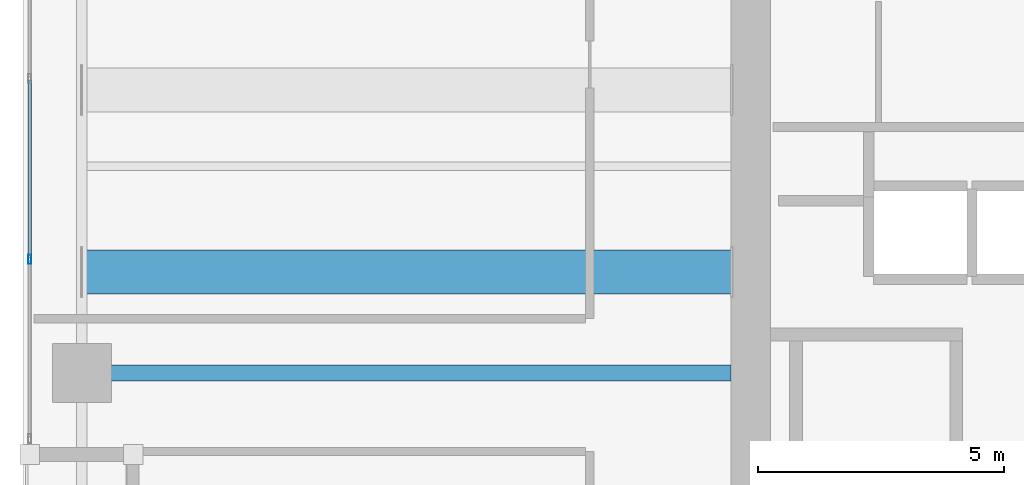
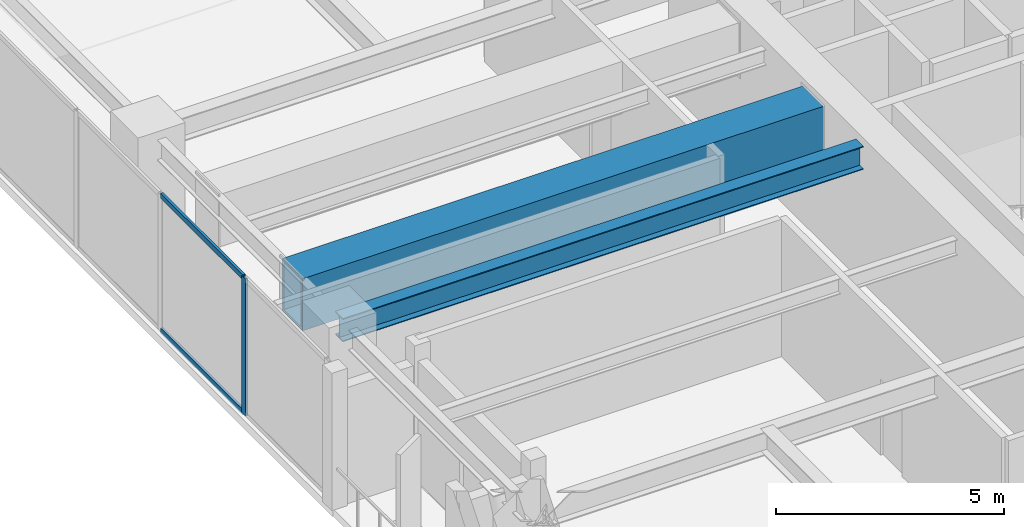
# One storey, part 4 of 30: 3 members, 2 beams, 1 element without a shape of its own.
"""IFC4 building model written with IfcOpenShell, lengths in metres."""

from ifc_helpers import new_model, si_unit, direction, frame, origin, origin_2d, place, context, subcontext, project, spatial, hollow_rectangle, i_section, extrude, material, layer, layer_set, material_profile, profile_set, type_object, element, aggregate, save


model = new_model("IFC4")

# Units and contexts
model_context = context("Model", 3, precision=1e-05, world=origin(), true_north=direction((0.0, 1.0)))
body_context = subcontext(model_context, "Body", "Model", "MODEL_VIEW")
ifc_project = project(units=[si_unit("LENGTHUNIT", "METRE"), si_unit("AREAUNIT", "SQUARE_METRE"), si_unit("VOLUMEUNIT", "CUBIC_METRE"), si_unit("PLANEANGLEUNIT", "RADIAN"), si_unit("MASSUNIT", "GRAM", prefix="KILO")], contexts=[model_context])

# Site, building, storey
site_placement = place(None, origin())
site = spatial("IfcSite", under=ifc_project, at=site_placement, CompositionType="ELEMENT")
building_placement = place(site_placement, origin())
building = spatial("IfcBuilding", under=site, at=building_placement, Name="Kiyonajd Concourse Tower", CompositionType="ELEMENT")
storey_placement = place(building_placement, frame((0.0, 0.0, 177.89990234375)))
storey = spatial("IfcBuildingStorey", under=building, at=storey_placement, Name="L45", CompositionType="ELEMENT", Elevation=177.89990234375)

# Beams
ifc_material_1 = material(Name="Steel ASTM A992 Grade 50", Category="steel")
ifc_material_profile_1 = material_profile(ifc_material_1, i_section(OverallWidth=0.326904296875, OverallDepth=0.6220703125, WebThickness=0.015380859375, FlangeThickness=0.0244140625, at=origin_2d()), Name="W610X195")
ifc_profile_set_1 = profile_set([ifc_material_profile_1], Name="Steel ASTM A992 Grade 50")
beam_type_1 = type_object("IfcBeamType", Name="BM-TWR-610A", PredefinedType="BEAM", material=ifc_profile_set_1)
beam_1_placement = place(storey_placement, frame((19.199951171875, 36.0, 3.369140625), z_axis=(1.0, 0.0, 0.0), x_axis=(0.0, 1.0, 0.0)))
element("IfcBeam", 1, at=beam_1_placement, inside=storey, type_object=beam_type_1, Name="L45 West Lease Girder", PredefinedType="BEAM", context=body_context, shape_type="SweptSolid", body=[
    extrude(i_section(OverallWidth=0.326904296875, OverallDepth=0.6220703125, WebThickness=0.015380859375, FlangeThickness=0.0244140625, at=origin_2d()), origin(), (0.0, 0.0, 1.0), 13.199951171875),
])
ifc_material_2 = material(Name="Steel ASTM A572 Grade 50", Category="steel")
ifc_material_profile_2 = material_profile(ifc_material_2, hollow_rectangle(XDim=0.89990234375, YDim=1.39990234375, WallThickness=0.070068359375, at=origin_2d()), Name="BOX-1400x900x70")
ifc_profile_set_2 = profile_set([ifc_material_profile_2], Name="Steel ASTM A572 Grade 50")
beam_type_2 = type_object("IfcBeamType", Name="BM-XFER-1400", PredefinedType="BEAM", material=ifc_profile_set_2)
beam_2_placement = place(storey_placement, frame((19.199951171875, 38.050048828125, 2.97998046875), z_axis=(1.0, 0.0, 0.0), x_axis=(0.0, 1.0, 0.0)))
element("IfcBeam", 2, at=beam_2_placement, inside=storey, type_object=beam_type_2, Name="L45 Sky Garden Support Girder 1", PredefinedType="BEAM", context=body_context, shape_type="SweptSolid", body=[
    extrude(hollow_rectangle(XDim=0.89990234375, YDim=1.39990234375, WallThickness=0.070068359375, at=origin_2d()), origin(), (0.0, 0.0, 1.0), 13.199951171875),
])

# Curtain wall, members
ifc_material_3 = material(Name="Thermally Broken Anodised Aluminium", Category="aluminium")
ifc_layer = layer(ifc_material_3, 0.179931640625)
ifc_layer_set = layer_set([ifc_layer], Name="Thermally Broken Anodised Aluminium")
curtain_wall_type = type_object("IfcCurtainWallType", Name="CW-SYS-03", PredefinedType="NOTDEFINED", material=ifc_layer_set)
curtain_wall_placement = place(storey_placement, origin())
curtain_wall = element("IfcCurtainWall", 3, at=curtain_wall_placement, inside=storey, type_object=curtain_wall_type, Name="L45 Unitised Curtain Wall CW3", PredefinedType="NOTDEFINED")
ifc_material_profile_3 = material_profile(ifc_material_3, hollow_rectangle(XDim=0.06494140625, YDim=0.179931640625, WallThickness=0.00390625, at=origin_2d()), Name="MULL-65x180")
ifc_profile_set_3 = profile_set([ifc_material_profile_3], Name="Thermally Broken Anodised Aluminium")
member_type_1 = type_object("IfcMemberType", Name="MB-CW-MULL1", PredefinedType="MULLION", material=ifc_profile_set_3)
member_1_placement = place(storey_placement, frame((18.139892578125, 38.306884765625, 0.0), z_axis=(0.0, 0.0, 1.0), x_axis=(-1.0, 0.0, 0.0)))
member_1 = element("IfcMember", 4, at=member_1_placement, type_object=member_type_1, Name="CW3 mullion 2", PredefinedType="MULLION", context=body_context, shape_type="SweptSolid", body=[
    extrude(hollow_rectangle(XDim=0.06494140625, YDim=0.179931640625, WallThickness=0.00390625, at=origin_2d()), origin(), (0.0, 0.0, 1.0), 3.68017578125),
])
ifc_material_profile_4 = material_profile(ifc_material_3, hollow_rectangle(XDim=0.06494140625, YDim=0.139892578125, WallThickness=0.00390625, at=origin_2d()), Name="TRAN-65x140")
ifc_profile_set_4 = profile_set([ifc_material_profile_4], Name="Thermally Broken Anodised Aluminium")
member_type_2 = type_object("IfcMemberType", Name="MB-CW-TRAN1", PredefinedType="USERDEFINED", material=ifc_profile_set_4)
member_2_placement = place(storey_placement, frame((18.139892578125, 38.33935546875, 0.03271484375), z_axis=(0.0, 1.0, 0.0), x_axis=(-1.0, 0.0, 0.0)))
member_2 = element("IfcMember", 5, at=member_2_placement, type_object=member_type_2, Name="CW3 transom 2.1", ObjectType="TRANSOM", PredefinedType="USERDEFINED", context=body_context, shape_type="SweptSolid", body=[
    extrude(hollow_rectangle(XDim=0.06494140625, YDim=0.139892578125, WallThickness=0.00390625, at=origin_2d()), origin(), (0.0, 0.0, 1.0), 3.612060546875),
])
member_3_placement = place(storey_placement, frame((18.139892578125, 38.33935546875, 3.647705078125), z_axis=(0.0, 1.0, 0.0), x_axis=(-1.0, 0.0, 0.0)))
member_3 = element("IfcMember", 6, at=member_3_placement, type_object=member_type_2, Name="CW3 transom 2.2", ObjectType="TRANSOM", PredefinedType="USERDEFINED", context=body_context, shape_type="SweptSolid", body=[
    extrude(hollow_rectangle(XDim=0.06494140625, YDim=0.139892578125, WallThickness=0.00390625, at=origin_2d()), origin(), (0.0, 0.0, 1.0), 3.612060546875),
])
aggregate(curtain_wall, [member_1, member_2, member_3])

save(model, "model.ifc")
